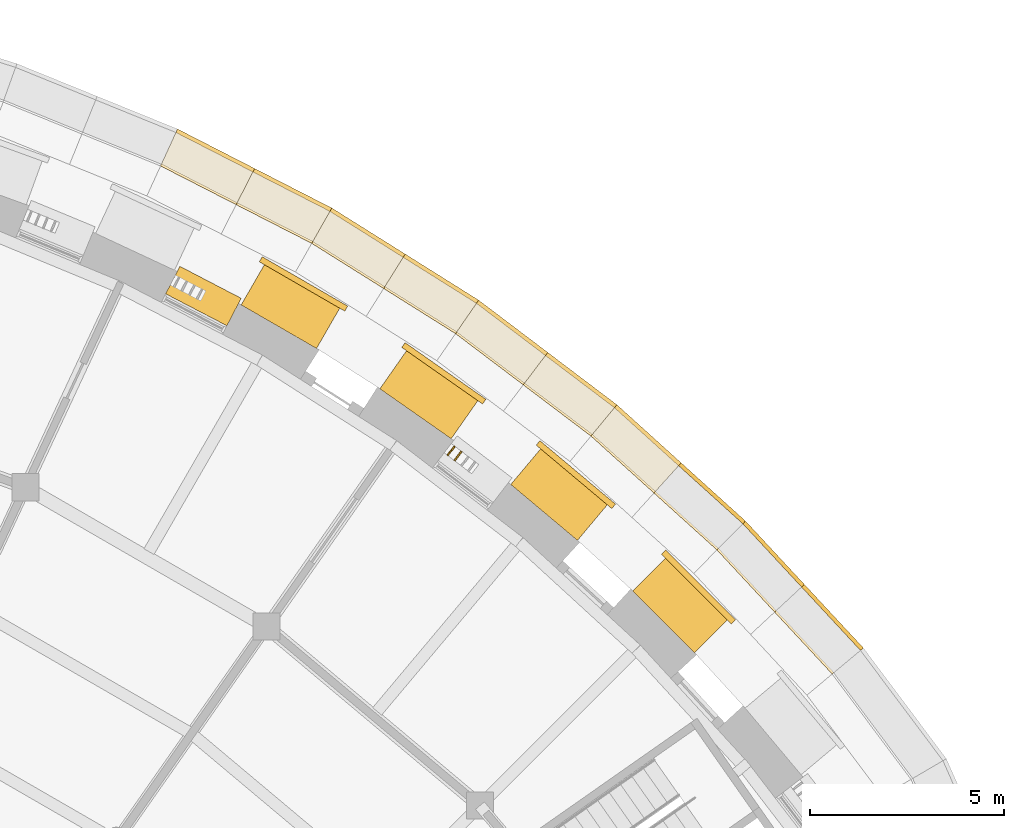
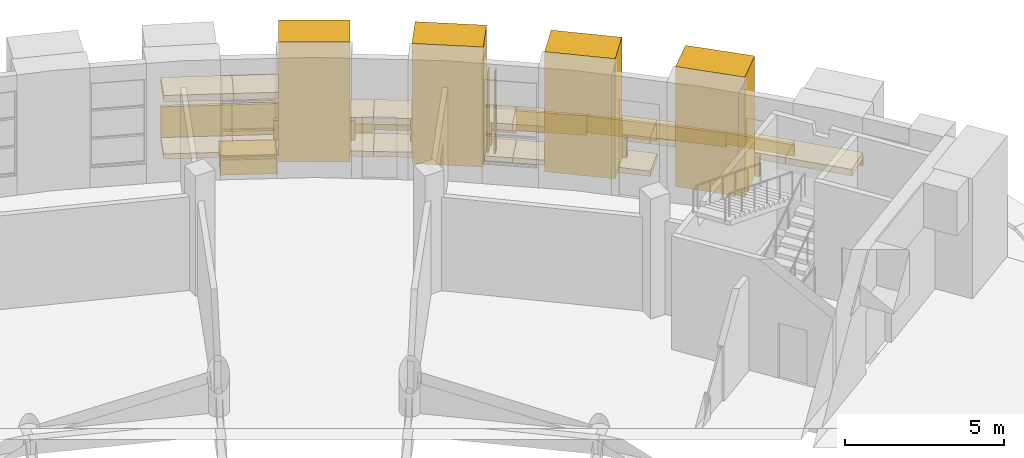
# One storey, part 83 of 85: 38 coverings.
"""IFC4 building model written with IfcOpenShell, lengths in metres."""

from ifc_helpers import new_model, si_unit, direction, frame, origin, origin_2d, place, context, subcontext, project, spatial, polyline, rectangle, outline, extrude, material, layer, layer_set, type_object, element, save


model = new_model("IFC4")

# Units and contexts
model_context = context("Model", 3, precision=1e-05, world=origin(), true_north=direction((0.0, 1.0)))
body_context = subcontext(model_context, "Body", "Model", "MODEL_VIEW")
ifc_project = project(units=[si_unit("LENGTHUNIT", "METRE"), si_unit("AREAUNIT", "SQUARE_METRE"), si_unit("VOLUMEUNIT", "CUBIC_METRE"), si_unit("PLANEANGLEUNIT", "RADIAN"), si_unit("MASSUNIT", "GRAM", prefix="KILO")], contexts=[model_context])

# Site, building, storey
site_placement = place(None, origin())
site = spatial("IfcSite", under=ifc_project, at=site_placement, CompositionType="ELEMENT")
building_placement = place(site_placement, origin())
building = spatial("IfcBuilding", under=site, at=building_placement, Name="Volute Hill Aquarium", CompositionType="ELEMENT")
storey_placement = place(building_placement, origin())
storey = spatial("IfcBuildingStorey", under=building, at=storey_placement, Name="L01", CompositionType="ELEMENT", Elevation=0.0)

# Coverings
ifc_material_1 = material(Name="Blue limestone", Category="masonry")
covering_type_1 = type_object("IfcCoveringType", Name="Bluestone plinth block 275x750", PredefinedType="CLADDING", material=ifc_material_1)
covering_1_placement = place(storey_placement, frame((22.050537109375, 42.35888671875, 0.0), z_axis=(0.0, 0.0, 1.0), x_axis=(-0.887006559862, 0.461756822107, 0.0)))
element("IfcCovering", 1, at=covering_1_placement, inside=storey, type_object=covering_type_1, Name="Bluestone plinth BPN S5 L01 6", PredefinedType="CLADDING", context=body_context, shape_type="SweptSolid", body=[
    extrude(rectangle(XDim=1.78564453125, YDim=0.800048828125, at=origin_2d()), origin(), (0.0, 0.0, 1.0), 0.75),
])
ifc_material_2 = material(Name="Blue limestone", Category="masonry")
ifc_layer_1 = layer(ifc_material_2, 0.14990234375)
ifc_layer_set_1 = layer_set([ifc_layer_1], Name="Bluestone plinth plate 150x750")
covering_type_2 = type_object("IfcCoveringType", Name="Bluestone plinth plate 150x750", PredefinedType="CLADDING", material=ifc_layer_set_1)
for number, where, z_axis, x_axis, name in (
    (2, (34.84130859375, 34.84130859375, 0.0), (0.0, 0.0, 1.0), (-0.707106781187, 0.707106781187, 0.0), "Bluestone plinth BP S5 L01 2"),
    (3, (31.672119140625, 37.745361328125, 0.0), (0.0, 0.0, 1.0), (-0.766044443119, 0.642787609687, 0.0), "Bluestone plinth BP S5 L01 3"),
    (4, (28.26171875, 40.362060546875, 0.0), (0.0, 0.0, 1.0), (-0.819152044289, 0.573576436351, 0.0), "Bluestone plinth BP S5 L01 4"),
    (5, (24.636474609375, 42.671630859375, 0.0), (0.0, 0.0, 1.0), (-0.866025403784, 0.5, 0.0), "Bluestone plinth BP S5 L01 5"),
):
    element("IfcCovering", number, at=place(storey_placement, frame(where, z_axis=z_axis, x_axis=x_axis)), inside=storey, type_object=covering_type_2, Name=name, PredefinedType="CLADDING", context=body_context, shape_type="SweptSolid", body=[
        extrude(rectangle(XDim=2.548583984375, YDim=0.14990234375, at=origin_2d()), origin(), (0.0, 0.0, 1.0), 0.75),
    ])
ifc_material_3 = material(Name="Aluminium", Category="aluminium")
covering_type_3 = type_object("IfcCoveringType", Name="Plant louvre slat 40x300", PredefinedType="CLADDING", material=ifc_material_3)
for number, where, z_axis, x_axis, name in (
    (6, (28.62841796875, 38.22607421875, 0.830078125), (0.0, 0.0, 1.0), (-0.79336017449, 0.608752522404, 0.0), "Plant louvre slat S5 L01 4.1.3"),
    (7, (28.451416015625, 38.36181640625, 0.830078125), (0.0, 0.0, 1.0), (-0.79336017449, 0.608752522404, 0.0), "Plant louvre slat S5 L01 4.1.4"),
):
    element("IfcCovering", number, at=place(storey_placement, frame(where, z_axis=z_axis, x_axis=x_axis)), inside=storey, type_object=covering_type_3, Name=name, PredefinedType="CLADDING", context=body_context, shape_type="SweptSolid", body=[
        extrude(rectangle(XDim=0.0400390625, YDim=0.300048828125, at=origin_2d()), origin(), (0.0, 0.0, 1.0), 3.090087890625),
    ])
ifc_material_4 = material(Name="Precast concrete C40/50", Category="concrete")
ifc_layer_2 = layer(ifc_material_4, 0.25)
ifc_layer_set_2 = layer_set([ifc_layer_2], Name="Plinth coping precast concrete C40/50 1000")
covering_type_4 = type_object("IfcCoveringType", Name="Plinth coping precast concrete C40/50 1000", PredefinedType="CLADDING", material=ifc_layer_set_2)
covering_2_placement = place(storey_placement, frame((0.0, 0.0, -0.10009765625)))
element("IfcCovering", 8, at=covering_2_placement, inside=storey, type_object=covering_type_4, Name="cp/E59UP/L01/0", PredefinedType="CLADDING", context=body_context, shape_type="SweptSolid", body=[
    extrude(outline(polyline([(39.06396484375, 33.23486328125), (37.54052734375, 34.875), (36.807861328125, 34.1943359375), (38.295166015625, 32.59326171875), (39.06396484375, 33.23486328125)])), origin(), (0.0, 0.0, 1.0), 0.25),
])
covering_3_placement = place(storey_placement, frame((0.0, 0.0, -0.10009765625)))
element("IfcCovering", 9, at=covering_3_placement, inside=storey, type_object=covering_type_4, Name="cp/E59UP/L01/1", PredefinedType="CLADDING", context=body_context, shape_type="SweptSolid", body=[
    extrude(outline(polyline([(37.54052734375, 34.875), (36.020263671875, 36.51171875), (35.3173828125, 35.799072265625), (36.807861328125, 34.1943359375), (37.54052734375, 34.875)])), origin(), (0.0, 0.0, 1.0), 0.25),
])
covering_4_placement = place(storey_placement, frame((0.0, 0.0, -0.10009765625)))
element("IfcCovering", 10, at=covering_4_placement, inside=storey, type_object=covering_type_4, Name="cp/E60UP/L01/0", PredefinedType="CLADDING", context=body_context, shape_type="SweptSolid", body=[
    extrude(outline(polyline([(36.020263671875, 36.51171875), (34.36083984375, 38.01171875), (33.690185546875, 37.27001953125), (35.3173828125, 35.799072265625), (35.3173828125, 35.799072265625), (36.020263671875, 36.51171875), (36.020263671875, 36.51171875)])), origin(), (0.0, 0.0, 1.0), 0.25),
])
covering_5_placement = place(storey_placement, frame((0.0, 0.0, -0.10009765625)))
element("IfcCovering", 11, at=covering_5_placement, inside=storey, type_object=covering_type_4, Name="cp/E60UP/L01/1", PredefinedType="CLADDING", context=body_context, shape_type="SweptSolid", body=[
    extrude(outline(polyline([(32.701171875, 39.511962890625), (32.701171875, 39.511962890625), (32.06298828125, 38.74072265625), (32.06298828125, 38.74072265625), (33.690185546875, 37.27001953125), (34.36083984375, 38.01171875), (32.701171875, 39.511962890625)])), origin(), (0.0, 0.0, 1.0), 0.25),
])
covering_6_placement = place(storey_placement, frame((0.0, 0.0, -0.10009765625)))
element("IfcCovering", 12, at=covering_6_placement, inside=storey, type_object=covering_type_4, Name="cp/E61UP/L01/0", PredefinedType="CLADDING", context=body_context, shape_type="SweptSolid", body=[
    extrude(outline(polyline([(32.701171875, 39.511962890625), (30.9169921875, 40.86181640625), (30.313720703125, 40.064453125), (32.06298828125, 38.74072265625), (32.701171875, 39.511962890625)])), origin(), (0.0, 0.0, 1.0), 0.25),
])
covering_7_placement = place(storey_placement, frame((0.0, 0.0, -0.10009765625)))
element("IfcCovering", 13, at=covering_7_placement, inside=storey, type_object=covering_type_4, Name="cp/E61UP/L01/1", PredefinedType="CLADDING", context=body_context, shape_type="SweptSolid", body=[
    extrude(outline(polyline([(29.133056640625, 42.2119140625), (29.133056640625, 42.2119140625), (28.564453125, 41.387939453125), (28.564453125, 41.387939453125), (30.313720703125, 40.064453125), (30.9169921875, 40.86181640625), (29.133056640625, 42.2119140625)])), origin(), (0.0, 0.0, 1.0), 0.25),
])
covering_8_placement = place(storey_placement, frame((0.0, 0.0, -0.10009765625)))
element("IfcCovering", 14, at=covering_8_placement, inside=storey, type_object=covering_type_4, Name="cp/E62UP/L01/0", PredefinedType="CLADDING", context=body_context, shape_type="SweptSolid", body=[
    extrude(outline(polyline([(29.133056640625, 42.2119140625), (27.238037109375, 43.40087890625), (26.70654296875, 42.553955078125), (28.564453125, 41.387939453125), (29.133056640625, 42.2119140625)])), origin(), (0.0, 0.0, 1.0), 0.25),
])
covering_9_placement = place(storey_placement, frame((0.0, 0.0, -0.10009765625)))
element("IfcCovering", 15, at=covering_9_placement, inside=storey, type_object=covering_type_4, Name="cp/E62UP/L01/1", PredefinedType="CLADDING", context=body_context, shape_type="SweptSolid", body=[
    extrude(outline(polyline([(27.238037109375, 43.40087890625), (25.34326171875, 44.590087890625), (24.8486328125, 43.719970703125), (24.8486328125, 43.719970703125), (26.70654296875, 42.553955078125), (27.238037109375, 43.40087890625)])), origin(), (0.0, 0.0, 1.0), 0.25),
])
covering_10_placement = place(storey_placement, frame((0.0, 0.0, 0.85009765625)))
element("IfcCovering", 16, at=covering_10_placement, inside=storey, type_object=covering_type_4, Name="cp/E63UP/L01/0", PredefinedType="CLADDING", context=body_context, shape_type="SweptSolid", body=[
    extrude(outline(polyline([(25.34326171875, 44.590087890625), (23.351806640625, 45.60986328125), (22.89599609375, 44.7197265625), (24.8486328125, 43.719970703125), (25.34326171875, 44.590087890625), (25.34326171875, 44.590087890625)])), origin(), (0.0, 0.0, 1.0), 0.25),
])
covering_11_placement = place(storey_placement, frame((0.0, 0.0, 0.85009765625)))
element("IfcCovering", 17, at=covering_11_placement, inside=storey, type_object=covering_type_4, Name="cp/E63UP/L01/1", PredefinedType="CLADDING", context=body_context, shape_type="SweptSolid", body=[
    extrude(outline(polyline([(21.3603515625, 46.62939453125), (21.3603515625, 46.62939453125), (20.943603515625, 45.71923828125), (22.89599609375, 44.7197265625), (23.351806640625, 45.60986328125), (21.3603515625, 46.62939453125)])), origin(), (0.0, 0.0, 1.0), 0.25),
])
ifc_material_5 = material(Name="Precast concrete C40/50", Category="concrete")
ifc_layer_3 = layer(ifc_material_5, 0.199951171875)
ifc_layer_set_3 = layer_set([ifc_layer_3], Name="Plinth grade course precast concrete C40/50 1100")
covering_type_5 = type_object("IfcCoveringType", Name="Plinth grade course precast concrete C40/50 1100", PredefinedType="CLADDING", material=ifc_layer_set_3)
covering_12_placement = place(storey_placement, frame((0.0, 0.0, -1.375)))
element("IfcCovering", 18, at=covering_12_placement, inside=storey, type_object=covering_type_5, Name="gc/E60UP/L01/1", PredefinedType="CLADDING", context=body_context, shape_type="SweptSolid", body=[
    extrude(outline(polyline([(32.733154296875, 39.550537109375), (32.733154296875, 39.550537109375), (32.094970703125, 38.779296875), (32.094970703125, 38.779296875), (33.723876953125, 37.30712890625), (34.394287109375, 38.048828125), (32.733154296875, 39.550537109375)])), origin(), (0.0, 0.0, 1.0), 0.199951171875),
])
covering_13_placement = place(storey_placement, frame((0.0, 0.0, -1.375)))
element("IfcCovering", 19, at=covering_13_placement, inside=storey, type_object=covering_type_5, Name="gc/E61UP/L01/0", PredefinedType="CLADDING", context=body_context, shape_type="SweptSolid", body=[
    extrude(outline(polyline([(32.733154296875, 39.550537109375), (30.947265625, 40.901611328125), (30.343994140625, 40.104248046875), (32.094970703125, 38.779296875), (32.733154296875, 39.550537109375)])), origin(), (0.0, 0.0, 1.0), 0.199951171875),
])
covering_14_placement = place(storey_placement, frame((0.0, 0.0, -1.375)))
element("IfcCovering", 20, at=covering_14_placement, inside=storey, type_object=covering_type_5, Name="gc/E61UP/L01/1", PredefinedType="CLADDING", context=body_context, shape_type="SweptSolid", body=[
    extrude(outline(polyline([(29.161376953125, 42.2529296875), (29.161376953125, 42.2529296875), (28.5927734375, 41.42919921875), (28.5927734375, 41.42919921875), (30.343994140625, 40.104248046875), (30.947265625, 40.901611328125), (29.161376953125, 42.2529296875)])), origin(), (0.0, 0.0, 1.0), 0.199951171875),
])
covering_15_placement = place(storey_placement, frame((0.0, 0.0, -1.375)))
element("IfcCovering", 21, at=covering_15_placement, inside=storey, type_object=covering_type_5, Name="gc/E62UP/L01/0", PredefinedType="CLADDING", context=body_context, shape_type="SweptSolid", body=[
    extrude(outline(polyline([(29.161376953125, 42.2529296875), (27.2646484375, 43.443359375), (26.733154296875, 42.596435546875), (28.5927734375, 41.42919921875), (29.161376953125, 42.2529296875)])), origin(), (0.0, 0.0, 1.0), 0.199951171875),
])
covering_16_placement = place(storey_placement, frame((0.0, 0.0, -1.375)))
element("IfcCovering", 22, at=covering_16_placement, inside=storey, type_object=covering_type_5, Name="gc/E62UP/L01/1", PredefinedType="CLADDING", context=body_context, shape_type="SweptSolid", body=[
    extrude(outline(polyline([(27.2646484375, 43.443359375), (25.367919921875, 44.6337890625), (24.873291015625, 43.763427734375), (26.733154296875, 42.596435546875), (27.2646484375, 43.443359375)])), origin(), (0.0, 0.0, 1.0), 0.199951171875),
])
covering_17_placement = place(storey_placement, frame((0.0, 0.0, -1.375)))
element("IfcCovering", 23, at=covering_17_placement, inside=storey, type_object=covering_type_5, Name="gc/E63UP/L01/0", PredefinedType="CLADDING", context=body_context, shape_type="SweptSolid", body=[
    extrude(outline(polyline([(25.367919921875, 44.6337890625), (23.37451171875, 45.654296875), (22.9189453125, 44.76416015625), (24.873291015625, 43.763427734375), (24.873291015625, 43.763427734375), (25.367919921875, 44.6337890625), (25.367919921875, 44.6337890625)])), origin(), (0.0, 0.0, 1.0), 0.199951171875),
])
covering_18_placement = place(storey_placement, frame((0.0, 0.0, -1.375)))
element("IfcCovering", 24, at=covering_18_placement, inside=storey, type_object=covering_type_5, Name="gc/E63UP/L01/1", PredefinedType="CLADDING", context=body_context, shape_type="SweptSolid", body=[
    extrude(outline(polyline([(23.37451171875, 45.654296875), (21.38134765625, 46.6748046875), (20.96435546875, 45.764892578125), (22.9189453125, 44.76416015625), (23.37451171875, 45.654296875)])), origin(), (0.0, 0.0, 1.0), 0.199951171875),
])
ifc_material_6 = material(Name="Precast concrete C40/50", Category="concrete")
covering_type_6 = type_object("IfcCoveringType", Name="Projecting pier precast concrete C40/50 2249x1200", PredefinedType="CLADDING", material=ifc_material_6)
for number, where, z_axis, x_axis, name in (
    (25, (34.364013671875, 34.364013671875, 0.0), (0.0, 0.0, 1.0), (-0.707106781187, 0.707106781187, 0.0), "Projecting pier PP S5 L01 2"),
    (26, (31.23828125, 37.228271484375, 0.0), (0.0, 0.0, 1.0), (-0.766044443119, 0.642787609687, 0.0), "Projecting pier PP S5 L01 3"),
    (27, (27.87451171875, 39.80908203125, 0.0), (0.0, 0.0, 1.0), (-0.819152044289, 0.573576436351, 0.0), "Projecting pier PP S5 L01 4"),
    (28, (24.299072265625, 42.0869140625, 0.0), (0.0, 0.0, 1.0), (-0.866025403784, 0.5, 0.0), "Projecting pier PP S5 L01 5"),
):
    element("IfcCovering", number, at=place(storey_placement, frame(where, z_axis=z_axis, x_axis=x_axis)), inside=storey, type_object=covering_type_6, Name=name, PredefinedType="CLADDING", context=body_context, shape_type="SweptSolid", body=[
        extrude(rectangle(XDim=2.24853515625, YDim=1.199951171875, at=origin_2d()), origin(), (0.0, 0.0, 1.0), 4.60009765625),
    ])
ifc_material_7 = material(Name="Precast concrete C40/50", Category="concrete")
ifc_layer_4 = layer(ifc_material_7, 0.10009765625)
ifc_layer_set_4 = layer_set([ifc_layer_4], Name="Retained ground face precast concrete C40/50 100")
covering_type_7 = type_object("IfcCoveringType", Name="Retained ground face precast concrete C40/50 100", PredefinedType="CLADDING", material=ifc_layer_set_4)
covering_19_placement = place(storey_placement, frame((0.0, 0.0, -0.35009765625)))
element("IfcCovering", 29, at=covering_19_placement, inside=storey, type_object=covering_type_7, Name="tg/E59UP/L01/0", PredefinedType="CLADDING", context=body_context, shape_type="SweptSolid", body=[
    extrude(outline(polyline([(39.1025390625, 33.266845703125), (37.5771484375, 34.908935546875), (37.50390625, 34.8408203125), (39.025634765625, 33.20263671875), (39.025634765625, 33.20263671875), (39.1025390625, 33.266845703125), (39.1025390625, 33.266845703125)])), origin(), (0.0, 0.0, 1.0), 0.35009765625),
])
covering_20_placement = place(storey_placement, frame((0.0, 0.0, -0.43408203125)))
element("IfcCovering", 30, at=covering_20_placement, inside=storey, type_object=covering_type_7, Name="tg/E59UP/L01/1", PredefinedType="CLADDING", context=body_context, shape_type="SweptSolid", body=[
    extrude(outline(polyline([(37.5771484375, 34.908935546875), (36.055419921875, 36.54736328125), (35.985107421875, 36.47607421875), (37.50390625, 34.8408203125), (37.5771484375, 34.908935546875)])), origin(), (0.0, 0.0, 1.0), 0.43408203125),
])
covering_21_placement = place(storey_placement, frame((0.0, 0.0, -0.5380859375)))
element("IfcCovering", 31, at=covering_21_placement, inside=storey, type_object=covering_type_7, Name="tg/E60UP/L01/0", PredefinedType="CLADDING", context=body_context, shape_type="SweptSolid", body=[
    extrude(outline(polyline([(36.055419921875, 36.54736328125), (34.394287109375, 38.048828125), (34.327392578125, 37.974609375), (35.985107421875, 36.47607421875), (35.985107421875, 36.47607421875), (36.055419921875, 36.54736328125), (36.055419921875, 36.54736328125)])), origin(), (0.0, 0.0, 1.0), 0.5380859375),
])
covering_22_placement = place(storey_placement, frame((0.0, 0.0, -0.641845703125)))
element("IfcCovering", 32, at=covering_22_placement, inside=storey, type_object=covering_type_7, Name="tg/E60UP/L01/1", PredefinedType="CLADDING", context=body_context, shape_type="SweptSolid", body=[
    extrude(outline(polyline([(32.733154296875, 39.550537109375), (32.733154296875, 39.550537109375), (32.66943359375, 39.473388671875), (32.66943359375, 39.473388671875), (34.327392578125, 37.974609375), (34.394287109375, 38.048828125), (32.733154296875, 39.550537109375)])), origin(), (0.0, 0.0, 1.0), 0.641845703125),
])
covering_23_placement = place(storey_placement, frame((0.0, 0.0, -0.753662109375)))
element("IfcCovering", 33, at=covering_23_placement, inside=storey, type_object=covering_type_7, Name="tg/E61UP/L01/0", PredefinedType="CLADDING", context=body_context, shape_type="SweptSolid", body=[
    extrude(outline(polyline([(32.733154296875, 39.550537109375), (30.947265625, 40.901611328125), (30.886962890625, 40.822021484375), (32.66943359375, 39.473388671875), (32.733154296875, 39.550537109375)])), origin(), (0.0, 0.0, 1.0), 0.753662109375),
])
covering_24_placement = place(storey_placement, frame((0.0, 0.0, -0.865234375)))
element("IfcCovering", 34, at=covering_24_placement, inside=storey, type_object=covering_type_7, Name="tg/E61UP/L01/1", PredefinedType="CLADDING", context=body_context, shape_type="SweptSolid", body=[
    extrude(outline(polyline([(29.161376953125, 42.2529296875), (29.161376953125, 42.2529296875), (29.1044921875, 42.170654296875), (29.1044921875, 42.170654296875), (30.886962890625, 40.822021484375), (30.947265625, 40.901611328125), (29.161376953125, 42.2529296875)])), origin(), (0.0, 0.0, 1.0), 0.865234375),
])
covering_25_placement = place(storey_placement, frame((0.0, 0.0, -0.98388671875)))
element("IfcCovering", 35, at=covering_25_placement, inside=storey, type_object=covering_type_7, Name="tg/E62UP/L01/0", PredefinedType="CLADDING", context=body_context, shape_type="SweptSolid", body=[
    extrude(outline(polyline([(29.161376953125, 42.2529296875), (27.2646484375, 43.443359375), (27.21142578125, 43.358642578125), (29.1044921875, 42.170654296875), (29.161376953125, 42.2529296875)])), origin(), (0.0, 0.0, 1.0), 0.98388671875),
])
covering_26_placement = place(storey_placement, frame((0.0, 0.0, -1.1025390625)))
element("IfcCovering", 36, at=covering_26_placement, inside=storey, type_object=covering_type_7, Name="tg/E62UP/L01/1", PredefinedType="CLADDING", context=body_context, shape_type="SweptSolid", body=[
    extrude(outline(polyline([(27.2646484375, 43.443359375), (25.367919921875, 44.6337890625), (25.318603515625, 44.546630859375), (27.21142578125, 43.358642578125), (27.2646484375, 43.443359375)])), origin(), (0.0, 0.0, 1.0), 1.1025390625),
])
covering_27_placement = place(storey_placement, frame((0.0, 0.0, -1.227294921875)))
element("IfcCovering", 37, at=covering_27_placement, inside=storey, type_object=covering_type_7, Name="tg/E63UP/L01/0", PredefinedType="CLADDING", context=body_context, shape_type="SweptSolid", body=[
    extrude(outline(polyline([(25.367919921875, 44.6337890625), (23.37451171875, 45.654296875), (23.3291015625, 45.565185546875), (25.318603515625, 44.546630859375), (25.318603515625, 44.546630859375), (25.367919921875, 44.6337890625), (25.367919921875, 44.6337890625)])), origin(), (0.0, 0.0, 1.0), 1.227294921875),
])
covering_28_placement = place(storey_placement, frame((0.0, 0.0, -1.351806640625)))
element("IfcCovering", 38, at=covering_28_placement, inside=storey, type_object=covering_type_7, Name="tg/E63UP/L01/1", PredefinedType="CLADDING", context=body_context, shape_type="SweptSolid", body=[
    extrude(outline(polyline([(23.37451171875, 45.654296875), (21.38134765625, 46.6748046875), (21.339599609375, 46.583984375), (23.3291015625, 45.565185546875), (23.37451171875, 45.654296875)])), origin(), (0.0, 0.0, 1.0), 1.351806640625),
])

save(model, "model.ifc")
